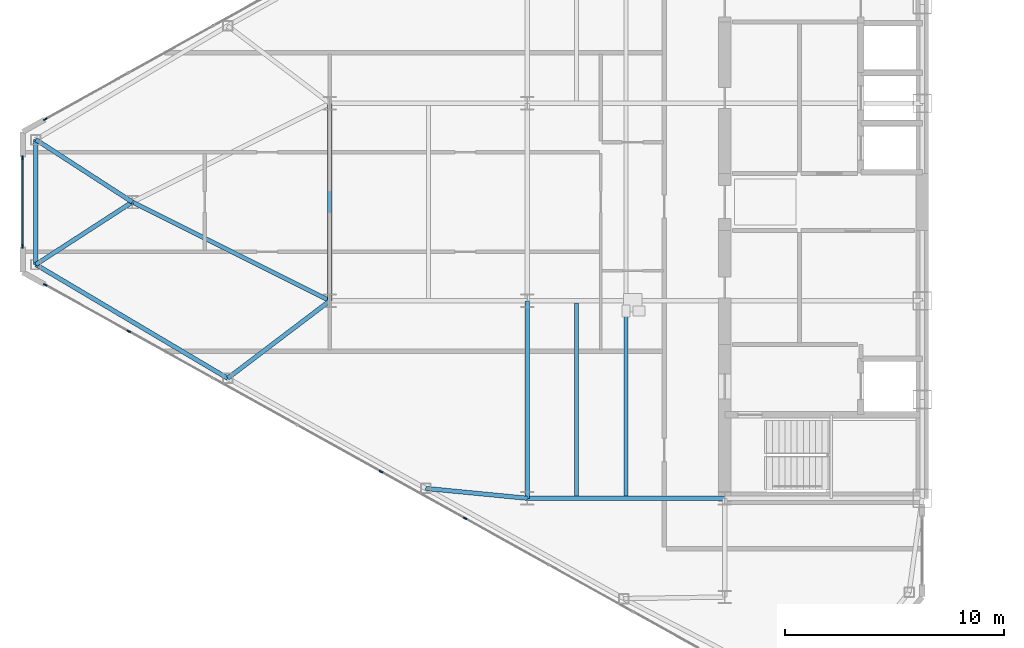
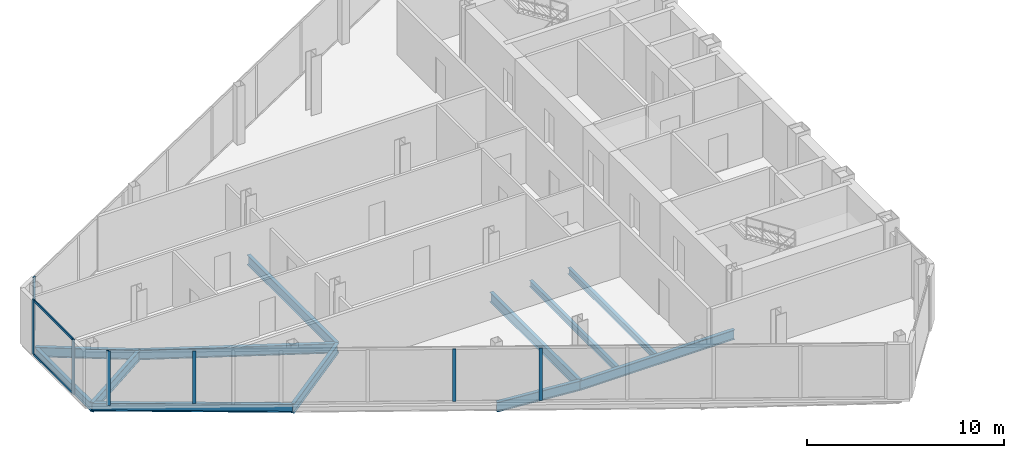
# One storey, part 5 of 25: 12 beams, 9 members, 3 elements without a shape of their own.
"""IFC4 building model written with IfcOpenShell, lengths in metres."""

from ifc_helpers import new_model, si_unit, direction, frame, origin, origin_2d, place, context, subcontext, project, spatial, rectangle, i_section, extrude, source, transform, mapped, material, layer, layer_set, material_profile, profile_set, type_object, type_shapes, element, aggregate, save


model = new_model("IFC4")

# Units and contexts
model_context = context("Model", 3, precision=1e-05, world=origin(), true_north=direction((0.0, 1.0)))
body_context = subcontext(model_context, "Body", "Model", "MODEL_VIEW")
ifc_project = project(units=[si_unit("LENGTHUNIT", "METRE"), si_unit("AREAUNIT", "SQUARE_METRE"), si_unit("VOLUMEUNIT", "CUBIC_METRE"), si_unit("PLANEANGLEUNIT", "RADIAN"), si_unit("MASSUNIT", "GRAM", prefix="KILO")], contexts=[model_context])

# Site, building, storey
site_placement = place(None, origin())
site = spatial("IfcSite", under=ifc_project, at=site_placement, CompositionType="ELEMENT")
building_placement = place(site_placement, origin())
building = spatial("IfcBuilding", under=site, at=building_placement, Name="Seokmaru Belvedere", CompositionType="ELEMENT")
storey_placement = place(building_placement, frame((0.0, 0.0, 185.10009765625)))
storey = spatial("IfcBuildingStorey", under=building, at=storey_placement, Name="L49", CompositionType="ELEMENT", Elevation=185.10009765625)

# Beams
ifc_material_1 = material(Name="Steel SM355 (355 MPa)", Category="steel")
ifc_material_profile_1 = material_profile(ifc_material_1, i_section(OverallWidth=0.199951171875, OverallDepth=0.60009765625, WebThickness=0.010986328125, FlangeThickness=0.01708984375, at=origin_2d()), Name="H-600x200x11x17")
ifc_profile_set_1 = profile_set([ifc_material_profile_1], Name="Steel SM355 (355 MPa)")
beam_type_1 = type_object("IfcBeamType", Name="Primary Floor Girder H-600", PredefinedType="BEAM", material=ifc_profile_set_1)
shared_shape_1 = source(origin(), body_context, "Body", "SweptSolid", [
    extrude(i_section(OverallWidth=0.199951171875, OverallDepth=0.60009765625, WebThickness=0.010986328125, FlangeThickness=0.01708984375, at=origin_2d()), origin(), (0.0, 0.0, 1.0), 9.0),
])
for number, where, z_axis, x_axis, name in (
    (1, (-45.5, -13.5, -0.52001953125), (0.0, 1.0, 0.0), (-1.0, 0.0, 0.0), "L49 W Interior Grid Girder 1"),
    (2, (-45.5, -13.5, -0.52001953125), (1.0, 0.0, 0.0), (0.0, 1.0, 0.0), "L49 W Wing Primary Girder 1"),
    (3, (-54.5, -4.5, -0.52001953125), (0.0, 1.0, 0.0), (-1.0, 0.0, 0.0), "L49 W Apex Frame Girder"),
):
    element("IfcBeam", number, at=place(storey_placement, frame(where, z_axis=z_axis, x_axis=x_axis)), inside=storey, type_object=beam_type_1, Name=name, PredefinedType="BEAM", context=body_context, shape_type="MappedRepresentation", body=[
        mapped(shared_shape_1, transform((0.0, 0.0, 0.0), scale=1.0)),
    ])
shared_shape_2 = source(origin(), body_context, "Body", "SweptSolid", [
    extrude(i_section(OverallWidth=0.199951171875, OverallDepth=0.60009765625, WebThickness=0.010986328125, FlangeThickness=0.01708984375, at=origin_2d()), origin(), (0.0, 0.0, 1.0), 10.062255859375),
])
beam_1_placement = place(storey_placement, frame((-54.5, -4.5, -0.52001953125), z_axis=(-0.894427191, 0.4472135955, 0.0), x_axis=(-0.4472135955, -0.894427191, 0.0)))
element("IfcBeam", 4, at=beam_1_placement, inside=storey, type_object=beam_type_1, Name="L49 W Apex Converging Girder 1", PredefinedType="BEAM", context=body_context, shape_type="MappedRepresentation", body=[
    mapped(shared_shape_2, transform((0.0, 0.0, 0.0), scale=1.0)),
])
ifc_material_profile_2 = material_profile(ifc_material_1, i_section(OverallWidth=0.18505859375, OverallDepth=0.389892578125, WebThickness=0.008056640625, FlangeThickness=0.011962890625, at=origin_2d()), Name="H-390x185x8x12")
ifc_profile_set_2 = profile_set([ifc_material_profile_2], Name="Steel SM355 (355 MPa)")
beam_type_2 = type_object("IfcBeamType", Name="Secondary Floor Joist H-350", PredefinedType="JOIST", material=ifc_profile_set_2)
shared_shape_3 = source(origin(), body_context, "Body", "SweptSolid", [
    extrude(i_section(OverallWidth=0.18505859375, OverallDepth=0.389892578125, WebThickness=0.008056640625, FlangeThickness=0.011962890625, at=origin_2d()), origin(), (0.0, 0.0, 1.0), 8.7900390625),
])
type_shapes(beam_type_2, [shared_shape_3])
for number, where, z_axis, x_axis, name in (
    (5, (-43.25, -13.39501953125, -0.4150390625), (0.0, 1.0, 0.0), (-1.0, 0.0, 0.0), "L49 W Wing Inner Secondary Joist 1"),
    (6, (-41.0, -13.39501953125, -0.4150390625), (0.0, 1.0, 0.0), (-1.0, 0.0, 0.0), "L49 W Secondary Floor Joist 1"),
):
    element("IfcBeam", number, at=place(storey_placement, frame(where, z_axis=z_axis, x_axis=x_axis)), inside=storey, type_object=beam_type_2, Name=name, PredefinedType="JOIST", context=body_context, shape_type="MappedRepresentation", body=[
        mapped(shared_shape_3, transform((0.0, 0.0, 0.0), scale=1.0)),
    ])
ifc_material_profile_3 = material_profile(ifc_material_1, i_section(OverallWidth=0.199951171875, OverallDepth=0.5, WebThickness=0.010009765625, FlangeThickness=0.01611328125, at=origin_2d()), Name="H-500x200x10x16")
ifc_profile_set_3 = profile_set([ifc_material_profile_3], Name="Steel SM355 (355 MPa)")
beam_type_3 = type_object("IfcBeamType", Name="Perimeter Spandrel Beam H-500", PredefinedType="SPANDREL", material=ifc_profile_set_3)
shared_shape_4 = source(origin(), body_context, "Body", "SweptSolid", [
    extrude(i_section(OverallWidth=0.199951171875, OverallDepth=0.5, WebThickness=0.010009765625, FlangeThickness=0.01611328125, at=origin_2d()), origin(), (0.0, 0.0, 1.0), 10.16650390625),
])
beam_2_placement = place(storey_placement, frame((-59.154541015625, -8.031494140625, -0.47021484375), z_axis=(-0.860209996506, 0.509939959124, 0.0), x_axis=(-0.509939959124, -0.860209996506, 0.0)))
element("IfcBeam", 7, at=beam_2_placement, inside=storey, type_object=beam_type_3, Name="L49 W Faceted Flank Spandrel S-4", PredefinedType="SPANDREL", context=body_context, shape_type="MappedRepresentation", body=[
    mapped(shared_shape_4, transform((0.0, 0.0, 0.0), scale=1.0)),
])
shared_shape_5 = source(origin(), body_context, "Body", "SweptSolid", [
    extrude(i_section(OverallWidth=0.199951171875, OverallDepth=0.5, WebThickness=0.010009765625, FlangeThickness=0.01611328125, at=origin_2d()), origin(), (0.0, 0.0, 1.0), 5.6943359375),
])
type_shapes(beam_type_3, [shared_shape_4, shared_shape_5])
beam_3_placement = place(storey_placement, frame((-67.89990234375, -2.84716796875, -0.47021484375), z_axis=(0.0, 1.0, 0.0), x_axis=(-1.0, 0.0, 0.0)))
element("IfcBeam", 8, at=beam_3_placement, inside=storey, type_object=beam_type_3, Name="L49 W Faceted Apex Spandrel", PredefinedType="SPANDREL", context=body_context, shape_type="MappedRepresentation", body=[
    mapped(shared_shape_5, transform((0.0, 0.0, 0.0), scale=1.0)),
])
shared_shape_6 = source(origin(), body_context, "Body", "SweptSolid", [
    extrude(i_section(OverallWidth=0.199951171875, OverallDepth=0.60009765625, WebThickness=0.010986328125, FlangeThickness=0.01708984375, at=origin_2d()), origin(), (0.0, 0.0, 1.0), 4.65087890625),
])
beam_4_placement = place(storey_placement, frame((-50.129150390625, -13.051025390625, -0.52001953125), z_axis=(0.995329534874, -0.09653557379, 0.0), x_axis=(0.09653557379, 0.995329534874, 0.0)))
element("IfcBeam", 9, at=beam_4_placement, inside=storey, type_object=beam_type_1, Name="L49 W Flank Radial Floor Girder S-2", PredefinedType="BEAM", context=body_context, shape_type="MappedRepresentation", body=[
    mapped(shared_shape_6, transform((0.0, 0.0, 0.0), scale=1.0)),
])
shared_shape_7 = source(origin(), body_context, "Body", "SweptSolid", [
    extrude(i_section(OverallWidth=0.199951171875, OverallDepth=0.60009765625, WebThickness=0.010986328125, FlangeThickness=0.01708984375, at=origin_2d()), origin(), (0.0, 0.0, 1.0), 5.842529296875),
])
beam_5_placement = place(storey_placement, frame((-59.154541015625, -8.031494140625, -0.52001953125), z_axis=(0.796653109879, 0.604436781243, 0.0), x_axis=(-0.604436781243, 0.796653109879, 0.0)))
element("IfcBeam", 10, at=beam_5_placement, inside=storey, type_object=beam_type_1, Name="L49 W Flank Radial Floor Girder S-3", PredefinedType="BEAM", context=body_context, shape_type="MappedRepresentation", body=[
    mapped(shared_shape_7, transform((0.0, 0.0, 0.0), scale=1.0)),
])
shared_shape_8 = source(origin(), body_context, "Body", "SweptSolid", [
    extrude(i_section(OverallWidth=0.199951171875, OverallDepth=0.60009765625, WebThickness=0.010986328125, FlangeThickness=0.01708984375, at=origin_2d()), origin(), (0.0, 0.0, 1.0), 5.24072265625),
])
type_shapes(beam_type_1, [shared_shape_1, shared_shape_2, shared_shape_6, shared_shape_7, shared_shape_8])
for number, where, z_axis, x_axis, name in (
    (11, (-67.89990234375, -2.84716796875, -0.52001953125), (0.839555158729, 0.543274456836, 0.0), (-0.543274456836, 0.839555158729, 0.0), "L49 W Apex Radial Floor Girder 1"),
    (12, (-67.89990234375, 2.84716796875, -0.52001953125), (0.839555158729, -0.543274456836, 0.0), (0.543274456836, 0.839555158729, 0.0), "L49 W Apex Radial Floor Girder 2"),
):
    element("IfcBeam", number, at=place(storey_placement, frame(where, z_axis=z_axis, x_axis=x_axis)), inside=storey, type_object=beam_type_1, Name=name, PredefinedType="BEAM", context=body_context, shape_type="MappedRepresentation", body=[
        mapped(shared_shape_8, transform((0.0, 0.0, 0.0), scale=1.0)),
    ])

# Curtain wall, members
ifc_material_2 = material(Name="Bronze Triple Insulating Glass", Category="glass")
ifc_layer = layer(ifc_material_2, 0.179931640625)
ifc_layer_set = layer_set([ifc_layer], Name="Bronze Triple Insulating Glass")
curtain_wall_type = type_object("IfcCurtainWallType", Name="High-Rise Wind-Corner Curtain Wall System CW-5", PredefinedType="NOTDEFINED", material=ifc_layer_set)
curtain_wall_1_placement = place(storey_placement, origin())
curtain_wall_1 = element("IfcCurtainWall", 13, at=curtain_wall_1_placement, inside=storey, type_object=curtain_wall_type, Name="L49 Curtain Wall WF4", PredefinedType="NOTDEFINED")
ifc_material_3 = material(Name="Anodised Bronze Aluminium", Category="aluminium")
ifc_material_profile_4 = material_profile(ifc_material_3, rectangle(XDim=0.06494140625, YDim=0.14990234375, at=origin_2d()), Name="CW-T-65x150")
ifc_profile_set_4 = profile_set([ifc_material_profile_4], Name="Anodised Bronze Aluminium")
member_type_1 = type_object("IfcMemberType", Name="Bronze Unitised Transom 65x150", PredefinedType="USERDEFINED", material=ifc_profile_set_4)
shared_shape_9 = source(origin(), body_context, "Body", "SweptSolid", [
    extrude(rectangle(XDim=0.06494140625, YDim=0.14990234375, at=origin_2d()), origin(), (0.0, 0.0, 1.0), 3.97021484375),
])
type_shapes(member_type_1, [shared_shape_9])
member_1_placement = place(storey_placement, frame((-68.5, 1.985107421875, 0.032470703125), z_axis=(0.0, -1.0, 0.0), x_axis=(1.0, 0.0, 0.0)))
member_1 = element("IfcMember", 14, at=member_1_placement, type_object=member_type_1, Name="CW:L49:WF4 Continuous Transom 1", ObjectType="TRANSOM", PredefinedType="USERDEFINED", context=body_context, shape_type="MappedRepresentation", body=[
    mapped(shared_shape_9, transform((0.0, 0.0, 0.0), scale=1.0)),
])
member_2_placement = place(storey_placement, frame((-68.5, 1.985107421875, 3.347412109375), z_axis=(0.0, -1.0, 0.0), x_axis=(1.0, 0.0, 0.0)))
member_2 = element("IfcMember", 15, at=member_2_placement, type_object=member_type_1, Name="CW:L49:WF4 Continuous Transom 2", ObjectType="TRANSOM", PredefinedType="USERDEFINED", context=body_context, shape_type="MappedRepresentation", body=[
    mapped(shared_shape_9, transform((0.0, 0.0, 0.0), scale=1.0)),
])

# Curtain wall, member
curtain_wall_2_placement = place(storey_placement, origin())
curtain_wall_2 = element("IfcCurtainWall", 16, at=curtain_wall_2_placement, inside=storey, type_object=curtain_wall_type, Name="L49 Curtain Wall WF3", PredefinedType="NOTDEFINED")
ifc_material_profile_5 = material_profile(ifc_material_3, rectangle(XDim=0.06494140625, YDim=0.179931640625, at=origin_2d()), Name="CW-M-65x180")
ifc_profile_set_5 = profile_set([ifc_material_profile_5], Name="Anodised Bronze Aluminium")
member_type_2 = type_object("IfcMemberType", Name="Bronze Unitised Mullion 65x180", PredefinedType="MULLION", material=ifc_profile_set_5)
shared_shape_10 = source(origin(), body_context, "Body", "SweptSolid", [
    extrude(rectangle(XDim=0.06494140625, YDim=0.179931640625, at=origin_2d()), origin(), (0.0, 0.0, 1.0), 3.3798828125),
])
member_3_placement = place(storey_placement, frame((-67.466552734375, 3.77490234375, 0.0), z_axis=(0.0, 0.0, 1.0), x_axis=(0.486047125147, -0.873932601598, 0.0)))
member_3 = element("IfcMember", 17, at=member_3_placement, type_object=member_type_2, Name="CW:L49:WF3 Mullion 10", PredefinedType="MULLION", context=body_context, shape_type="MappedRepresentation", body=[
    mapped(shared_shape_10, transform((0.0, 0.0, 0.0), scale=1.0)),
])
aggregate(curtain_wall_2, [member_3])

# Member
member_4_placement = place(storey_placement, frame((-68.5, 2.017578125, 0.0), z_axis=(0.0, 0.0, 1.0), x_axis=(1.0, 0.0, 0.0)))
member_4 = element("IfcMember", 18, at=member_4_placement, type_object=member_type_2, Name="CW:L49:WF4 Mullion 1", PredefinedType="MULLION", context=body_context, shape_type="MappedRepresentation", body=[
    mapped(shared_shape_10, transform((0.0, 0.0, 0.0), scale=1.0)),
])

member_5_placement = place(storey_placement, frame((-68.5, -2.017578125, 0.0), z_axis=(0.0, 0.0, 1.0), x_axis=(1.0, 0.0, 0.0)))
member_5 = element("IfcMember", 19, at=member_5_placement, type_object=member_type_2, Name="CW:L49:WF4 Mullion 2", PredefinedType="MULLION", context=body_context, shape_type="MappedRepresentation", body=[
    mapped(shared_shape_10, transform((0.0, 0.0, 0.0), scale=1.0)),
])

aggregate(curtain_wall_1, [member_4, member_5, member_1, member_2])

# Curtain wall, members
curtain_wall_3_placement = place(storey_placement, origin())
curtain_wall_3 = element("IfcCurtainWall", 20, at=curtain_wall_3_placement, inside=storey, type_object=curtain_wall_type, Name="L49 Curtain Wall WF5", PredefinedType="NOTDEFINED")
member_6_placement = place(storey_placement, frame((-67.466552734375, -3.77490234375, 0.0), z_axis=(0.0, 0.0, 1.0), x_axis=(0.486047125147, 0.873932601598, 0.0)))
member_6 = element("IfcMember", 21, at=member_6_placement, type_object=member_type_2, Name="CW:L49:WF5 Mullion 1", PredefinedType="MULLION", context=body_context, shape_type="MappedRepresentation", body=[
    mapped(shared_shape_10, transform((0.0, 0.0, 0.0), scale=1.0)),
])
shared_shape_11 = source(origin(), body_context, "Body", "SweptSolid", [
    extrude(rectangle(XDim=0.06494140625, YDim=0.179931640625, at=origin_2d()), origin(), (0.0, 0.0, 1.0), 3.25),
])
type_shapes(member_type_2, [shared_shape_10, shared_shape_11])
member_7_placement = place(storey_placement, frame((-63.662841796875, -5.890380859375, 0.06494140625), z_axis=(0.0, 0.0, 1.0), x_axis=(0.486047125147, 0.873932601598, 0.0)))
member_7 = element("IfcMember", 22, at=member_7_placement, type_object=member_type_2, Name="CW:L49:WF5 Mullion 2", PredefinedType="MULLION", context=body_context, shape_type="MappedRepresentation", body=[
    mapped(shared_shape_11, transform((0.0, 0.0, 0.0), scale=1.0)),
])
member_8_placement = place(storey_placement, frame((-52.166015625, -12.2841796875, 0.06494140625), z_axis=(0.0, 0.0, 1.0), x_axis=(0.486047125147, 0.873932601598, 0.0)))
member_8 = element("IfcMember", 23, at=member_8_placement, type_object=member_type_2, Name="CW:L49:WF5 Mullion 5", PredefinedType="MULLION", context=body_context, shape_type="MappedRepresentation", body=[
    mapped(shared_shape_11, transform((0.0, 0.0, 0.0), scale=1.0)),
])
member_9_placement = place(storey_placement, frame((-48.333984375, -14.415771484375, 0.06494140625), z_axis=(0.0, 0.0, 1.0), x_axis=(0.486047125147, 0.873932601598, 0.0)))
member_9 = element("IfcMember", 24, at=member_9_placement, type_object=member_type_2, Name="CW:L49:WF5 Mullion 6", PredefinedType="MULLION", context=body_context, shape_type="MappedRepresentation", body=[
    mapped(shared_shape_11, transform((0.0, 0.0, 0.0), scale=1.0)),
])
aggregate(curtain_wall_3, [member_6, member_7, member_8, member_9])

save(model, "model.ifc")
